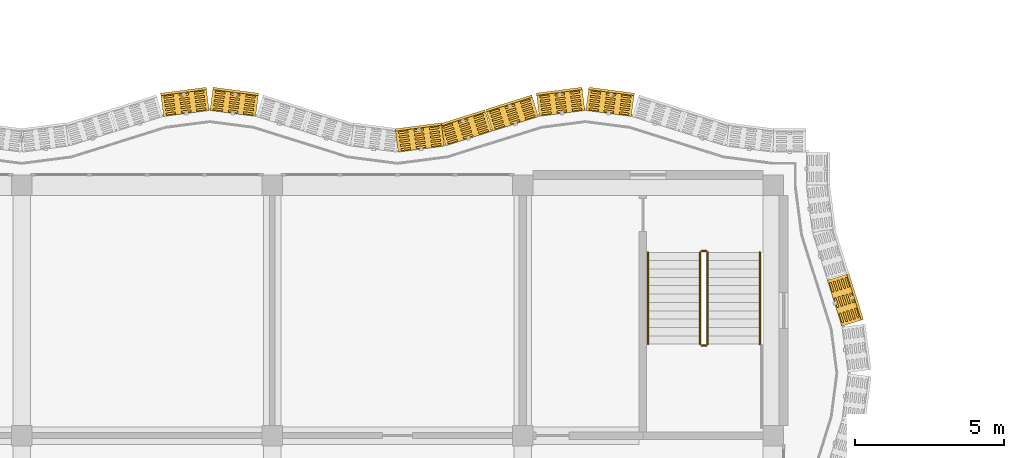
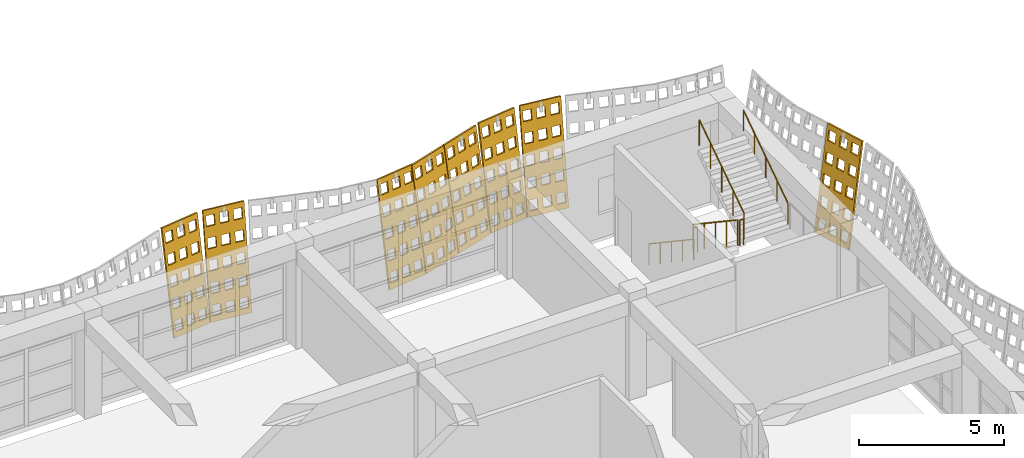
# One storey, part 162 of 163: 8 coverings, 6 railings.
"""IFC4 building model written with IfcOpenShell, lengths in metres."""

from ifc_helpers import new_model, si_unit, direction, frame, origin, origin_2d, place, context, subcontext, project, spatial, polyline, circle, outline, extrude, material, layer, layer_set, type_object, element, save


model = new_model("IFC4")

# Units and contexts
model_context = context("Model", 3, precision=1e-05, world=origin(), true_north=direction((0.0, 1.0)))
body_context = subcontext(model_context, "Body", "Model", "MODEL_VIEW")
ifc_project = project(units=[si_unit("LENGTHUNIT", "METRE"), si_unit("AREAUNIT", "SQUARE_METRE"), si_unit("VOLUMEUNIT", "CUBIC_METRE"), si_unit("PLANEANGLEUNIT", "RADIAN"), si_unit("MASSUNIT", "GRAM", prefix="KILO")], contexts=[model_context])

# Site, building, storey
site_placement = place(None, origin())
site = spatial("IfcSite", under=ifc_project, at=site_placement, CompositionType="ELEMENT")
building_placement = place(site_placement, origin())
building = spatial("IfcBuilding", under=site, at=building_placement, Name="Rain Tree Exposition and Congress Centre", CompositionType="ELEMENT")
storey_placement = place(building_placement, frame((0.0, 0.0, 10.5)))
storey = spatial("IfcBuildingStorey", under=building, at=storey_placement, Name="L02", CompositionType="ELEMENT", Elevation=10.5)

# Coverings
ifc_material_1 = material(Name="Perforated terracotta", Category="masonry")
ifc_layer = layer(ifc_material_1, 0.080078125)
ifc_layer_set = layer_set([ifc_layer], Name="Perforated terracotta")
covering_type = type_object("IfcCoveringType", Name="Terracotta screen 80", PredefinedType="CLADDING", material=ifc_layer_set)
covering_1_placement = place(storey_placement, frame((52.78271484375, 45.675048828125, 0.0), z_axis=(-0.942029390639, -0.295717964052, 0.158529217842), x_axis=(0.29950542383, -0.954094597562, 0.0)))
element("IfcCovering", 1, at=covering_1_placement, inside=storey, type_object=covering_type, Name="wing/screen/L02/064", PredefinedType="CLADDING", context=body_context, shape_type="SweptSolid", body=[
    extrude(outline(polyline([(-1.635986328125, 0.0), (-1.635986328125, 4.291259765625), (-0.02197265625, 4.291259765625), (-0.02197265625, 0.0), (-1.635986328125, 0.0)]), holes=[polyline([(-0.124267578125, 0.221435546875), (-0.124267578125, 0.63671875), (-0.457763671875, 0.63671875), (-0.457763671875, 0.221435546875), (-0.124267578125, 0.221435546875)]), polyline([(-0.124267578125, 1.07958984375), (-0.124267578125, 1.4951171875), (-0.457763671875, 1.4951171875), (-0.457763671875, 1.07958984375), (-0.124267578125, 1.07958984375)]), polyline([(-0.124267578125, 1.93798828125), (-0.124267578125, 2.353271484375), (-0.457763671875, 2.353271484375), (-0.457763671875, 1.93798828125), (-0.124267578125, 1.93798828125)]), polyline([(-0.124267578125, 2.796142578125), (-0.124267578125, 3.21142578125), (-0.457763671875, 3.21142578125), (-0.457763671875, 2.796142578125), (-0.124267578125, 2.796142578125)]), polyline([(-0.124267578125, 3.654541015625), (-0.124267578125, 4.06982421875), (-0.457763671875, 4.06982421875), (-0.457763671875, 3.654541015625), (-0.124267578125, 3.654541015625)]), polyline([(-0.662109375, 0.221435546875), (-0.662109375, 0.63671875), (-0.995849609375, 0.63671875), (-0.995849609375, 0.221435546875), (-0.662109375, 0.221435546875)]), polyline([(-0.662109375, 1.07958984375), (-0.662109375, 1.4951171875), (-0.995849609375, 1.4951171875), (-0.995849609375, 1.07958984375), (-0.662109375, 1.07958984375)]), polyline([(-0.662109375, 1.93798828125), (-0.662109375, 2.353271484375), (-0.995849609375, 2.353271484375), (-0.995849609375, 1.93798828125), (-0.662109375, 1.93798828125)]), polyline([(-0.662109375, 2.796142578125), (-0.662109375, 3.21142578125), (-0.995849609375, 3.21142578125), (-0.995849609375, 2.796142578125), (-0.662109375, 2.796142578125)]), polyline([(-0.662109375, 3.654541015625), (-0.662109375, 4.06982421875), (-0.995849609375, 4.06982421875), (-0.995849609375, 3.654541015625), (-0.662109375, 3.654541015625)]), polyline([(-1.2001953125, 0.221435546875), (-1.2001953125, 0.63671875), (-1.53369140625, 0.63671875), (-1.53369140625, 0.221435546875), (-1.2001953125, 0.221435546875)]), polyline([(-1.2001953125, 1.07958984375), (-1.2001953125, 1.4951171875), (-1.53369140625, 1.4951171875), (-1.53369140625, 1.07958984375), (-1.2001953125, 1.07958984375)]), polyline([(-1.2001953125, 1.93798828125), (-1.2001953125, 2.353271484375), (-1.53369140625, 2.353271484375), (-1.53369140625, 1.93798828125), (-1.2001953125, 1.93798828125)]), polyline([(-1.2001953125, 2.796142578125), (-1.2001953125, 3.21142578125), (-1.53369140625, 3.21142578125), (-1.53369140625, 2.796142578125), (-1.2001953125, 2.796142578125)]), polyline([(-1.2001953125, 3.654541015625), (-1.2001953125, 4.06982421875), (-1.53369140625, 4.06982421875), (-1.53369140625, 3.654541015625), (-1.2001953125, 3.654541015625)])]), origin(), (0.0, 0.0, 1.0), 0.080078125),
])
covering_2_placement = place(storey_placement, frame((45.675048828125, 52.78271484375, 0.0), z_axis=(-0.127967328105, -0.978036007662, 0.16452942185), x_axis=(0.991548658387, -0.129735338481, 0.0)))
element("IfcCovering", 2, at=covering_2_placement, inside=storey, type_object=covering_type, Name="wing/screen/L02/072", PredefinedType="CLADDING", context=body_context, shape_type="SweptSolid", body=[
    extrude(outline(polyline([(-1.56298828125, 0.0), (-1.56298828125, 4.295166015625), (-0.02197265625, 4.295166015625), (-0.02197265625, 0.0), (-1.56298828125, 0.0)]), holes=[polyline([(-0.11962890625, 0.2216796875), (-0.11962890625, 0.63720703125), (-0.43798828125, 0.63720703125), (-0.43798828125, 0.2216796875), (-0.11962890625, 0.2216796875)]), polyline([(-0.11962890625, 1.080810546875), (-0.11962890625, 1.496337890625), (-0.43798828125, 1.496337890625), (-0.43798828125, 1.080810546875), (-0.11962890625, 1.080810546875)]), polyline([(-0.11962890625, 1.939697265625), (-0.11962890625, 2.35546875), (-0.43798828125, 2.35546875), (-0.43798828125, 1.939697265625), (-0.11962890625, 1.939697265625)]), polyline([(-0.11962890625, 2.798583984375), (-0.11962890625, 3.21435546875), (-0.43798828125, 3.21435546875), (-0.43798828125, 2.798583984375), (-0.11962890625, 2.798583984375)]), polyline([(-0.11962890625, 3.65771484375), (-0.11962890625, 4.073486328125), (-0.43798828125, 4.073486328125), (-0.43798828125, 3.65771484375), (-0.11962890625, 3.65771484375)]), polyline([(-0.63330078125, 0.2216796875), (-0.63330078125, 0.63720703125), (-0.95166015625, 0.63720703125), (-0.95166015625, 0.2216796875), (-0.63330078125, 0.2216796875)]), polyline([(-0.63330078125, 1.080810546875), (-0.63330078125, 1.496337890625), (-0.95166015625, 1.496337890625), (-0.95166015625, 1.080810546875), (-0.63330078125, 1.080810546875)]), polyline([(-0.63330078125, 1.939697265625), (-0.63330078125, 2.35546875), (-0.95166015625, 2.35546875), (-0.95166015625, 1.939697265625), (-0.63330078125, 1.939697265625)]), polyline([(-0.63330078125, 2.798583984375), (-0.63330078125, 3.21435546875), (-0.95166015625, 3.21435546875), (-0.95166015625, 2.798583984375), (-0.63330078125, 2.798583984375)]), polyline([(-0.63330078125, 3.65771484375), (-0.63330078125, 4.073486328125), (-0.95166015625, 4.073486328125), (-0.95166015625, 3.65771484375), (-0.63330078125, 3.65771484375)]), polyline([(-1.146728515625, 0.2216796875), (-1.146728515625, 0.63720703125), (-1.46533203125, 0.63720703125), (-1.46533203125, 0.2216796875), (-1.146728515625, 0.2216796875)]), polyline([(-1.146728515625, 1.080810546875), (-1.146728515625, 1.496337890625), (-1.46533203125, 1.496337890625), (-1.46533203125, 1.080810546875), (-1.146728515625, 1.080810546875)]), polyline([(-1.146728515625, 1.939697265625), (-1.146728515625, 2.35546875), (-1.46533203125, 2.35546875), (-1.46533203125, 1.939697265625), (-1.146728515625, 1.939697265625)]), polyline([(-1.146728515625, 2.798583984375), (-1.146728515625, 3.21435546875), (-1.46533203125, 3.21435546875), (-1.46533203125, 2.798583984375), (-1.146728515625, 2.798583984375)]), polyline([(-1.146728515625, 3.65771484375), (-1.146728515625, 4.073486328125), (-1.46533203125, 4.073486328125), (-1.46533203125, 3.65771484375), (-1.146728515625, 3.65771484375)])]), origin(), (0.0, 0.0, 1.0), 0.080078125),
])
covering_3_placement = place(storey_placement, frame((44.10009765625, 52.987548828125, 0.0), z_axis=(0.124968640969, -0.978413018317, 0.164592844203), x_axis=(0.991941518713, 0.126696580272, 0.0)))
element("IfcCovering", 3, at=covering_3_placement, inside=storey, type_object=covering_type, Name="wing/screen/L02/073", PredefinedType="CLADDING", context=body_context, shape_type="SweptSolid", body=[
    extrude(outline(polyline([(-1.56640625, 0.0), (-1.56640625, 4.295166015625), (-0.025390625, 4.295166015625), (-0.025390625, 0.0), (-1.56640625, 0.0)]), holes=[polyline([(-0.123046875, 0.2216796875), (-0.123046875, 0.63720703125), (-0.44140625, 0.63720703125), (-0.44140625, 0.2216796875), (-0.123046875, 0.2216796875)]), polyline([(-0.123046875, 1.080810546875), (-0.123046875, 1.496337890625), (-0.44140625, 1.496337890625), (-0.44140625, 1.080810546875), (-0.123046875, 1.080810546875)]), polyline([(-0.123046875, 1.939697265625), (-0.123046875, 2.35546875), (-0.44140625, 2.35546875), (-0.44140625, 1.939697265625), (-0.123046875, 1.939697265625)]), polyline([(-0.123046875, 2.798583984375), (-0.123046875, 3.21435546875), (-0.44140625, 3.21435546875), (-0.44140625, 2.798583984375), (-0.123046875, 2.798583984375)]), polyline([(-0.123046875, 3.65771484375), (-0.123046875, 4.073486328125), (-0.44140625, 4.073486328125), (-0.44140625, 3.65771484375), (-0.123046875, 3.65771484375)]), polyline([(-0.63671875, 0.2216796875), (-0.63671875, 0.63720703125), (-0.955078125, 0.63720703125), (-0.955078125, 0.2216796875), (-0.63671875, 0.2216796875)]), polyline([(-0.63671875, 1.080810546875), (-0.63671875, 1.496337890625), (-0.955078125, 1.496337890625), (-0.955078125, 1.080810546875), (-0.63671875, 1.080810546875)]), polyline([(-0.63671875, 1.939697265625), (-0.63671875, 2.35546875), (-0.955078125, 2.35546875), (-0.955078125, 1.939697265625), (-0.63671875, 1.939697265625)]), polyline([(-0.63671875, 2.798583984375), (-0.63671875, 3.21435546875), (-0.955078125, 3.21435546875), (-0.955078125, 2.798583984375), (-0.63671875, 2.798583984375)]), polyline([(-0.63671875, 3.65771484375), (-0.63671875, 4.073486328125), (-0.955078125, 4.073486328125), (-0.955078125, 3.65771484375), (-0.63671875, 3.65771484375)]), polyline([(-1.150146484375, 0.2216796875), (-1.150146484375, 0.63720703125), (-1.46875, 0.63720703125), (-1.46875, 0.2216796875), (-1.150146484375, 0.2216796875)]), polyline([(-1.150146484375, 1.080810546875), (-1.150146484375, 1.496337890625), (-1.46875, 1.496337890625), (-1.46875, 1.080810546875), (-1.150146484375, 1.080810546875)]), polyline([(-1.150146484375, 1.939697265625), (-1.150146484375, 2.35546875), (-1.46875, 2.35546875), (-1.46875, 1.939697265625), (-1.150146484375, 1.939697265625)]), polyline([(-1.150146484375, 2.798583984375), (-1.150146484375, 3.21435546875), (-1.46875, 3.21435546875), (-1.46875, 2.798583984375), (-1.150146484375, 2.798583984375)]), polyline([(-1.150146484375, 3.65771484375), (-1.150146484375, 4.073486328125), (-1.46875, 4.073486328125), (-1.46875, 3.65771484375), (-1.150146484375, 3.65771484375)])]), origin(), (0.0, 0.0, 1.0), 0.080078125),
])
covering_4_placement = place(storey_placement, frame((42.52490234375, 52.78271484375, 0.0), z_axis=(0.295717964052, -0.942029390639, 0.158529217842), x_axis=(0.954094597562, 0.29950542383, 0.0)))
element("IfcCovering", 4, at=covering_4_placement, inside=storey, type_object=covering_type, Name="wing/screen/L02/074", PredefinedType="CLADDING", context=body_context, shape_type="SweptSolid", body=[
    extrude(outline(polyline([(-1.635986328125, 0.0), (-1.635986328125, 4.291259765625), (-0.02197265625, 4.291259765625), (-0.02197265625, 0.0), (-1.635986328125, 0.0)]), holes=[polyline([(-0.124267578125, 0.221435546875), (-0.124267578125, 0.63671875), (-0.457763671875, 0.63671875), (-0.457763671875, 0.221435546875), (-0.124267578125, 0.221435546875)]), polyline([(-0.124267578125, 1.07958984375), (-0.124267578125, 1.4951171875), (-0.457763671875, 1.4951171875), (-0.457763671875, 1.07958984375), (-0.124267578125, 1.07958984375)]), polyline([(-0.124267578125, 1.93798828125), (-0.124267578125, 2.353271484375), (-0.457763671875, 2.353271484375), (-0.457763671875, 1.93798828125), (-0.124267578125, 1.93798828125)]), polyline([(-0.124267578125, 2.796142578125), (-0.124267578125, 3.21142578125), (-0.457763671875, 3.21142578125), (-0.457763671875, 2.796142578125), (-0.124267578125, 2.796142578125)]), polyline([(-0.124267578125, 3.654541015625), (-0.124267578125, 4.06982421875), (-0.457763671875, 4.06982421875), (-0.457763671875, 3.654541015625), (-0.124267578125, 3.654541015625)]), polyline([(-0.662109375, 0.221435546875), (-0.662109375, 0.63671875), (-0.995849609375, 0.63671875), (-0.995849609375, 0.221435546875), (-0.662109375, 0.221435546875)]), polyline([(-0.662109375, 1.07958984375), (-0.662109375, 1.4951171875), (-0.995849609375, 1.4951171875), (-0.995849609375, 1.07958984375), (-0.662109375, 1.07958984375)]), polyline([(-0.662109375, 1.93798828125), (-0.662109375, 2.353271484375), (-0.995849609375, 2.353271484375), (-0.995849609375, 1.93798828125), (-0.662109375, 1.93798828125)]), polyline([(-0.662109375, 2.796142578125), (-0.662109375, 3.21142578125), (-0.995849609375, 3.21142578125), (-0.995849609375, 2.796142578125), (-0.662109375, 2.796142578125)]), polyline([(-0.662109375, 3.654541015625), (-0.662109375, 4.06982421875), (-0.995849609375, 4.06982421875), (-0.995849609375, 3.654541015625), (-0.662109375, 3.654541015625)]), polyline([(-1.2001953125, 0.221435546875), (-1.2001953125, 0.63671875), (-1.53369140625, 0.63671875), (-1.53369140625, 0.221435546875), (-1.2001953125, 0.221435546875)]), polyline([(-1.2001953125, 1.07958984375), (-1.2001953125, 1.4951171875), (-1.53369140625, 1.4951171875), (-1.53369140625, 1.07958984375), (-1.2001953125, 1.07958984375)]), polyline([(-1.2001953125, 1.93798828125), (-1.2001953125, 2.353271484375), (-1.53369140625, 2.353271484375), (-1.53369140625, 1.93798828125), (-1.2001953125, 1.93798828125)]), polyline([(-1.2001953125, 2.796142578125), (-1.2001953125, 3.21142578125), (-1.53369140625, 3.21142578125), (-1.53369140625, 2.796142578125), (-1.2001953125, 2.796142578125)]), polyline([(-1.2001953125, 3.654541015625), (-1.2001953125, 4.06982421875), (-1.53369140625, 4.06982421875), (-1.53369140625, 3.654541015625), (-1.2001953125, 3.654541015625)])]), origin(), (0.0, 0.0, 1.0), 0.080078125),
])
covering_5_placement = place(storey_placement, frame((40.949951171875, 52.28759765625, 0.0), z_axis=(0.295717964052, -0.942029390639, 0.158529217842), x_axis=(0.954094597562, 0.29950542383, 0.0)))
element("IfcCovering", 5, at=covering_5_placement, inside=storey, type_object=covering_type, Name="wing/screen/L02/075", PredefinedType="CLADDING", context=body_context, shape_type="SweptSolid", body=[
    extrude(outline(polyline([(-1.635986328125, 0.0), (-1.635986328125, 4.291259765625), (-0.014892578125, 4.291259765625), (-0.014892578125, 0.0), (-1.635986328125, 0.0)]), holes=[polyline([(-0.11767578125, 0.221435546875), (-0.11767578125, 0.63671875), (-0.45263671875, 0.63671875), (-0.45263671875, 0.221435546875), (-0.11767578125, 0.221435546875)]), polyline([(-0.11767578125, 1.07958984375), (-0.11767578125, 1.4951171875), (-0.45263671875, 1.4951171875), (-0.45263671875, 1.07958984375), (-0.11767578125, 1.07958984375)]), polyline([(-0.11767578125, 1.93798828125), (-0.11767578125, 2.353271484375), (-0.45263671875, 2.353271484375), (-0.45263671875, 1.93798828125), (-0.11767578125, 1.93798828125)]), polyline([(-0.11767578125, 2.796142578125), (-0.11767578125, 3.21142578125), (-0.45263671875, 3.21142578125), (-0.45263671875, 2.796142578125), (-0.11767578125, 2.796142578125)]), polyline([(-0.11767578125, 3.654541015625), (-0.11767578125, 4.06982421875), (-0.45263671875, 4.06982421875), (-0.45263671875, 3.654541015625), (-0.11767578125, 3.654541015625)]), polyline([(-0.657958984375, 0.221435546875), (-0.657958984375, 0.63671875), (-0.992919921875, 0.63671875), (-0.992919921875, 0.221435546875), (-0.657958984375, 0.221435546875)]), polyline([(-0.657958984375, 1.07958984375), (-0.657958984375, 1.4951171875), (-0.992919921875, 1.4951171875), (-0.992919921875, 1.07958984375), (-0.657958984375, 1.07958984375)]), polyline([(-0.657958984375, 1.93798828125), (-0.657958984375, 2.353271484375), (-0.992919921875, 2.353271484375), (-0.992919921875, 1.93798828125), (-0.657958984375, 1.93798828125)]), polyline([(-0.657958984375, 2.796142578125), (-0.657958984375, 3.21142578125), (-0.992919921875, 3.21142578125), (-0.992919921875, 2.796142578125), (-0.657958984375, 2.796142578125)]), polyline([(-0.657958984375, 3.654541015625), (-0.657958984375, 4.06982421875), (-0.992919921875, 4.06982421875), (-0.992919921875, 3.654541015625), (-0.657958984375, 3.654541015625)]), polyline([(-1.1982421875, 0.221435546875), (-1.1982421875, 0.63671875), (-1.533203125, 0.63671875), (-1.533203125, 0.221435546875), (-1.1982421875, 0.221435546875)]), polyline([(-1.1982421875, 1.07958984375), (-1.1982421875, 1.4951171875), (-1.533203125, 1.4951171875), (-1.533203125, 1.07958984375), (-1.1982421875, 1.07958984375)]), polyline([(-1.1982421875, 1.93798828125), (-1.1982421875, 2.353271484375), (-1.533203125, 2.353271484375), (-1.533203125, 1.93798828125), (-1.1982421875, 1.93798828125)]), polyline([(-1.1982421875, 2.796142578125), (-1.1982421875, 3.21142578125), (-1.533203125, 3.21142578125), (-1.533203125, 2.796142578125), (-1.1982421875, 2.796142578125)]), polyline([(-1.1982421875, 3.654541015625), (-1.1982421875, 4.06982421875), (-1.533203125, 4.06982421875), (-1.533203125, 3.654541015625), (-1.1982421875, 3.654541015625)])]), origin(), (0.0, 0.0, 1.0), 0.080078125),
])
covering_6_placement = place(storey_placement, frame((39.375, 51.79248046875, 0.0), z_axis=(0.128349774249, -0.9779030419, 0.165021138321), x_axis=(0.991496427865, 0.130133906157, 0.0)))
element("IfcCovering", 6, at=covering_6_placement, inside=storey, type_object=covering_type, Name="wing/screen/L02/076", PredefinedType="CLADDING", context=body_context, shape_type="SweptSolid", body=[
    extrude(outline(polyline([(-1.5732421875, 0.0), (-1.5732421875, 4.295166015625), (-0.014892578125, 4.295166015625), (-0.014892578125, 0.0), (-1.5732421875, 0.0)]), holes=[polyline([(-0.11376953125, 0.2216796875), (-0.11376953125, 0.63720703125), (-0.435791015625, 0.63720703125), (-0.435791015625, 0.2216796875), (-0.11376953125, 0.2216796875)]), polyline([(-0.11376953125, 1.080810546875), (-0.11376953125, 1.496337890625), (-0.435791015625, 1.496337890625), (-0.435791015625, 1.080810546875), (-0.11376953125, 1.080810546875)]), polyline([(-0.11376953125, 1.939697265625), (-0.11376953125, 2.35546875), (-0.435791015625, 2.35546875), (-0.435791015625, 1.939697265625), (-0.11376953125, 1.939697265625)]), polyline([(-0.11376953125, 2.798583984375), (-0.11376953125, 3.21435546875), (-0.435791015625, 3.21435546875), (-0.435791015625, 2.798583984375), (-0.11376953125, 2.798583984375)]), polyline([(-0.11376953125, 3.65771484375), (-0.11376953125, 4.073486328125), (-0.435791015625, 4.073486328125), (-0.435791015625, 3.65771484375), (-0.11376953125, 3.65771484375)]), polyline([(-0.633056640625, 0.2216796875), (-0.633056640625, 0.63720703125), (-0.955078125, 0.63720703125), (-0.955078125, 0.2216796875), (-0.633056640625, 0.2216796875)]), polyline([(-0.633056640625, 1.080810546875), (-0.633056640625, 1.496337890625), (-0.955078125, 1.496337890625), (-0.955078125, 1.080810546875), (-0.633056640625, 1.080810546875)]), polyline([(-0.633056640625, 1.939697265625), (-0.633056640625, 2.35546875), (-0.955078125, 2.35546875), (-0.955078125, 1.939697265625), (-0.633056640625, 1.939697265625)]), polyline([(-0.633056640625, 2.798583984375), (-0.633056640625, 3.21435546875), (-0.955078125, 3.21435546875), (-0.955078125, 2.798583984375), (-0.633056640625, 2.798583984375)]), polyline([(-0.633056640625, 3.65771484375), (-0.633056640625, 4.073486328125), (-0.955078125, 4.073486328125), (-0.955078125, 3.65771484375), (-0.633056640625, 3.65771484375)]), polyline([(-1.152587890625, 0.2216796875), (-1.152587890625, 0.63720703125), (-1.474609375, 0.63720703125), (-1.474609375, 0.2216796875), (-1.152587890625, 0.2216796875)]), polyline([(-1.152587890625, 1.080810546875), (-1.152587890625, 1.496337890625), (-1.474609375, 1.496337890625), (-1.474609375, 1.080810546875), (-1.152587890625, 1.080810546875)]), polyline([(-1.152587890625, 1.939697265625), (-1.152587890625, 2.35546875), (-1.474609375, 2.35546875), (-1.474609375, 1.939697265625), (-1.152587890625, 1.939697265625)]), polyline([(-1.152587890625, 2.798583984375), (-1.152587890625, 3.21435546875), (-1.474609375, 3.21435546875), (-1.474609375, 2.798583984375), (-1.152587890625, 2.798583984375)]), polyline([(-1.152587890625, 3.65771484375), (-1.152587890625, 4.073486328125), (-1.474609375, 4.073486328125), (-1.474609375, 3.65771484375), (-1.152587890625, 3.65771484375)])]), origin(), (0.0, 0.0, 1.0), 0.079833984375),
])
covering_7_placement = place(storey_placement, frame((33.074951171875, 52.78271484375, 0.0), z_axis=(-0.127967328105, -0.978036007662, 0.16452942185), x_axis=(0.991548658387, -0.129735338481, 0.0)))
element("IfcCovering", 7, at=covering_7_placement, inside=storey, type_object=covering_type, Name="wing/screen/L02/080", PredefinedType="CLADDING", context=body_context, shape_type="SweptSolid", body=[
    extrude(outline(polyline([(-1.56298828125, 0.0), (-1.56298828125, 4.295166015625), (-0.02197265625, 4.295166015625), (-0.02197265625, 0.0), (-1.56298828125, 0.0)]), holes=[polyline([(-0.11962890625, 0.2216796875), (-0.11962890625, 0.63720703125), (-0.43798828125, 0.63720703125), (-0.43798828125, 0.2216796875), (-0.11962890625, 0.2216796875)]), polyline([(-0.11962890625, 1.080810546875), (-0.11962890625, 1.496337890625), (-0.43798828125, 1.496337890625), (-0.43798828125, 1.080810546875), (-0.11962890625, 1.080810546875)]), polyline([(-0.11962890625, 1.939697265625), (-0.11962890625, 2.35546875), (-0.43798828125, 2.35546875), (-0.43798828125, 1.939697265625), (-0.11962890625, 1.939697265625)]), polyline([(-0.11962890625, 2.798583984375), (-0.11962890625, 3.21435546875), (-0.43798828125, 3.21435546875), (-0.43798828125, 2.798583984375), (-0.11962890625, 2.798583984375)]), polyline([(-0.11962890625, 3.65771484375), (-0.11962890625, 4.073486328125), (-0.43798828125, 4.073486328125), (-0.43798828125, 3.65771484375), (-0.11962890625, 3.65771484375)]), polyline([(-0.63330078125, 0.2216796875), (-0.63330078125, 0.63720703125), (-0.95166015625, 0.63720703125), (-0.95166015625, 0.2216796875), (-0.63330078125, 0.2216796875)]), polyline([(-0.63330078125, 1.080810546875), (-0.63330078125, 1.496337890625), (-0.95166015625, 1.496337890625), (-0.95166015625, 1.080810546875), (-0.63330078125, 1.080810546875)]), polyline([(-0.63330078125, 1.939697265625), (-0.63330078125, 2.35546875), (-0.95166015625, 2.35546875), (-0.95166015625, 1.939697265625), (-0.63330078125, 1.939697265625)]), polyline([(-0.63330078125, 2.798583984375), (-0.63330078125, 3.21435546875), (-0.95166015625, 3.21435546875), (-0.95166015625, 2.798583984375), (-0.63330078125, 2.798583984375)]), polyline([(-0.63330078125, 3.65771484375), (-0.63330078125, 4.073486328125), (-0.95166015625, 4.073486328125), (-0.95166015625, 3.65771484375), (-0.63330078125, 3.65771484375)]), polyline([(-1.146728515625, 0.2216796875), (-1.146728515625, 0.63720703125), (-1.46533203125, 0.63720703125), (-1.46533203125, 0.2216796875), (-1.146728515625, 0.2216796875)]), polyline([(-1.146728515625, 1.080810546875), (-1.146728515625, 1.496337890625), (-1.46533203125, 1.496337890625), (-1.46533203125, 1.080810546875), (-1.146728515625, 1.080810546875)]), polyline([(-1.146728515625, 1.939697265625), (-1.146728515625, 2.35546875), (-1.46533203125, 2.35546875), (-1.46533203125, 1.939697265625), (-1.146728515625, 1.939697265625)]), polyline([(-1.146728515625, 2.798583984375), (-1.146728515625, 3.21435546875), (-1.46533203125, 3.21435546875), (-1.46533203125, 2.798583984375), (-1.146728515625, 2.798583984375)]), polyline([(-1.146728515625, 3.65771484375), (-1.146728515625, 4.073486328125), (-1.46533203125, 4.073486328125), (-1.46533203125, 3.65771484375), (-1.146728515625, 3.65771484375)])]), origin(), (0.0, 0.0, 1.0), 0.080078125),
])
covering_8_placement = place(storey_placement, frame((31.5, 52.987548828125, 0.0), z_axis=(0.127967328105, -0.978036007662, 0.16452942185), x_axis=(0.991548658387, 0.129735338481, 0.0)))
element("IfcCovering", 8, at=covering_8_placement, inside=storey, type_object=covering_type, Name="wing/screen/L02/081", PredefinedType="CLADDING", context=body_context, shape_type="SweptSolid", body=[
    extrude(outline(polyline([(-1.56640625, 0.0), (-1.56640625, 4.295166015625), (-0.025390625, 4.295166015625), (-0.025390625, 0.0), (-1.56640625, 0.0)]), holes=[polyline([(-0.123046875, 0.2216796875), (-0.123046875, 0.63720703125), (-0.44140625, 0.63720703125), (-0.44140625, 0.2216796875), (-0.123046875, 0.2216796875)]), polyline([(-0.123046875, 1.080810546875), (-0.123046875, 1.496337890625), (-0.44140625, 1.496337890625), (-0.44140625, 1.080810546875), (-0.123046875, 1.080810546875)]), polyline([(-0.123046875, 1.939697265625), (-0.123046875, 2.35546875), (-0.44140625, 2.35546875), (-0.44140625, 1.939697265625), (-0.123046875, 1.939697265625)]), polyline([(-0.123046875, 2.798583984375), (-0.123046875, 3.21435546875), (-0.44140625, 3.21435546875), (-0.44140625, 2.798583984375), (-0.123046875, 2.798583984375)]), polyline([(-0.123046875, 3.65771484375), (-0.123046875, 4.073486328125), (-0.44140625, 4.073486328125), (-0.44140625, 3.65771484375), (-0.123046875, 3.65771484375)]), polyline([(-0.63671875, 0.2216796875), (-0.63671875, 0.63720703125), (-0.955078125, 0.63720703125), (-0.955078125, 0.2216796875), (-0.63671875, 0.2216796875)]), polyline([(-0.63671875, 1.080810546875), (-0.63671875, 1.496337890625), (-0.955078125, 1.496337890625), (-0.955078125, 1.080810546875), (-0.63671875, 1.080810546875)]), polyline([(-0.63671875, 1.939697265625), (-0.63671875, 2.35546875), (-0.955078125, 2.35546875), (-0.955078125, 1.939697265625), (-0.63671875, 1.939697265625)]), polyline([(-0.63671875, 2.798583984375), (-0.63671875, 3.21435546875), (-0.955078125, 3.21435546875), (-0.955078125, 2.798583984375), (-0.63671875, 2.798583984375)]), polyline([(-0.63671875, 3.65771484375), (-0.63671875, 4.073486328125), (-0.955078125, 4.073486328125), (-0.955078125, 3.65771484375), (-0.63671875, 3.65771484375)]), polyline([(-1.150146484375, 0.2216796875), (-1.150146484375, 0.63720703125), (-1.46875, 0.63720703125), (-1.46875, 0.2216796875), (-1.150146484375, 0.2216796875)]), polyline([(-1.150146484375, 1.080810546875), (-1.150146484375, 1.496337890625), (-1.46875, 1.496337890625), (-1.46875, 1.080810546875), (-1.150146484375, 1.080810546875)]), polyline([(-1.150146484375, 1.939697265625), (-1.150146484375, 2.35546875), (-1.46875, 2.35546875), (-1.46875, 1.939697265625), (-1.150146484375, 1.939697265625)]), polyline([(-1.150146484375, 2.798583984375), (-1.150146484375, 3.21435546875), (-1.46875, 3.21435546875), (-1.46875, 2.798583984375), (-1.150146484375, 2.798583984375)]), polyline([(-1.150146484375, 3.65771484375), (-1.150146484375, 4.073486328125), (-1.46875, 4.073486328125), (-1.46875, 3.65771484375), (-1.150146484375, 3.65771484375)])]), origin(), (0.0, 0.0, 1.0), 0.080078125),
])

# Railings
ifc_material_2 = material(Name="Steel S355J2H", Category="steel")
railing_type_1 = type_object("IfcRailingType", Name="Wing stair guard 1100", PredefinedType="GUARDRAIL", material=ifc_material_2)
railing_1_placement = place(storey_placement, frame((47.949951171875, 48.14990234375, 0.1875)))
element("IfcRailing", 9, at=railing_1_placement, inside=storey, type_object=railing_type_1, Name="L02 ST-W4 stair guard 1", PredefinedType="GUARDRAIL", context=body_context, shape_type="SweptSolid", body=[
    extrude(circle(Radius=0.02392578125, at=origin_2d()), frame((0.0, 0.0, 1.076171875), z_axis=(0.0, -0.830893310487, 0.556431762742), x_axis=(1.0, 0.0, 0.0)), (0.0, 0.0, 1.0), 3.70654296875),
    extrude(circle(Radius=0.02099609375, at=origin_2d()), origin(), (0.0, 0.0, 1.0), 1.052001953125),
    extrude(circle(Radius=0.02099609375, at=origin_2d()), frame((0.0, -0.77001953125, 0.515625)), (0.0, 0.0, 1.0), 1.052001953125),
    extrude(circle(Radius=0.02099609375, at=origin_2d()), frame((0.0, -1.5400390625, 1.03125)), (0.0, 0.0, 1.0), 1.052001953125),
    extrude(circle(Radius=0.02099609375, at=origin_2d()), frame((0.0, -2.309814453125, 1.546875)), (0.0, 0.0, 1.0), 1.052001953125),
    extrude(circle(Radius=0.02099609375, at=origin_2d()), frame((0.0, -3.079833984375, 2.0625)), (0.0, 0.0, 1.0), 1.052001953125),
])
railing_2_placement = place(storey_placement, frame((48.0, 45.02001953125, 2.25)))
element("IfcRailing", 10, at=railing_2_placement, inside=storey, type_object=railing_type_1, Name="L02 ST-W4 stair guard 2", PredefinedType="GUARDRAIL", context=body_context, shape_type="SweptSolid", body=[
    extrude(circle(Radius=0.02392578125, at=origin_2d()), frame((0.0, 0.0, 1.076171875), z_axis=(1.0, 0.0, 0.0), x_axis=(0.0, 1.0, 0.0)), (0.0, 0.0, 1.0), 0.14990234375),
    extrude(circle(Radius=0.02099609375, at=origin_2d()), origin(), (0.0, 0.0, 1.0), 1.052001953125),
    extrude(circle(Radius=0.02099609375, at=origin_2d()), frame((0.14990234375, 0.0, 0.0)), (0.0, 0.0, 1.0), 1.052001953125),
])
railing_3_placement = place(storey_placement, frame((48.199951171875, 45.070068359375, 2.4375)))
element("IfcRailing", 11, at=railing_3_placement, inside=storey, type_object=railing_type_1, Name="L02 ST-W4 stair guard 3", PredefinedType="GUARDRAIL", context=body_context, shape_type="SweptSolid", body=[
    extrude(circle(Radius=0.02392578125, at=origin_2d()), frame((0.0, 0.0, 1.076171875), z_axis=(0.0, 0.830893310487, 0.556431762742), x_axis=(-1.0, 0.0, 0.0)), (0.0, 0.0, 1.0), 3.70654296875),
    extrude(circle(Radius=0.02099609375, at=origin_2d()), origin(), (0.0, 0.0, 1.0), 1.052001953125),
    extrude(circle(Radius=0.02099609375, at=origin_2d()), frame((0.0, 0.77001953125, 0.515625)), (0.0, 0.0, 1.0), 1.052001953125),
    extrude(circle(Radius=0.02099609375, at=origin_2d()), frame((0.0, 1.5400390625, 1.03125)), (0.0, 0.0, 1.0), 1.052001953125),
    extrude(circle(Radius=0.02099609375, at=origin_2d()), frame((0.0, 2.309814453125, 1.546875)), (0.0, 0.0, 1.0), 1.052001953125),
    extrude(circle(Radius=0.02099609375, at=origin_2d()), frame((0.0, 3.079833984375, 2.0625)), (0.0, 0.0, 1.0), 1.052001953125),
])
railing_4_placement = place(storey_placement, frame((48.0, 48.199951171875, 0.0)))
element("IfcRailing", 12, at=railing_4_placement, inside=storey, type_object=railing_type_1, Name="L02 ST-W4 stair guard 4", PredefinedType="GUARDRAIL", context=body_context, shape_type="SweptSolid", body=[
    extrude(circle(Radius=0.02392578125, at=origin_2d()), frame((0.0, 0.0, 1.076171875), z_axis=(1.0, 0.0, 0.0), x_axis=(0.0, 1.0, 0.0)), (0.0, 0.0, 1.0), 0.14990234375),
    extrude(circle(Radius=0.02099609375, at=origin_2d()), origin(), (0.0, 0.0, 1.0), 1.052001953125),
    extrude(circle(Radius=0.02099609375, at=origin_2d()), frame((0.14990234375, 0.0, 0.0)), (0.0, 0.0, 1.0), 1.052001953125),
])
ifc_material_3 = material(Name="Steel S355J2H", Category="steel")
railing_type_2 = type_object("IfcRailingType", Name="Wing stair handrail 900", PredefinedType="HANDRAIL", material=ifc_material_3)
railing_5_placement = place(storey_placement, frame((46.199951171875, 48.14990234375, 0.1875)))
element("IfcRailing", 13, at=railing_5_placement, inside=storey, type_object=railing_type_2, Name="L02 ST-W4 stair handrail 1", PredefinedType="HANDRAIL", context=body_context, shape_type="SweptSolid", body=[
    extrude(circle(Radius=0.02392578125, at=origin_2d()), frame((0.0, 0.0, 0.8759765625), z_axis=(0.0, -0.830893310487, 0.556431762742), x_axis=(1.0, 0.0, 0.0)), (0.0, 0.0, 1.0), 3.70654296875),
    extrude(circle(Radius=0.02099609375, at=origin_2d()), origin(), (0.0, 0.0, 1.0), 0.851806640625),
    extrude(circle(Radius=0.02099609375, at=origin_2d()), frame((0.0, -0.77001953125, 0.515625)), (0.0, 0.0, 1.0), 0.851806640625),
    extrude(circle(Radius=0.02099609375, at=origin_2d()), frame((0.0, -1.5400390625, 1.03125)), (0.0, 0.0, 1.0), 0.851806640625),
    extrude(circle(Radius=0.02099609375, at=origin_2d()), frame((0.0, -2.309814453125, 1.546875)), (0.0, 0.0, 1.0), 0.851806640625),
    extrude(circle(Radius=0.02099609375, at=origin_2d()), frame((0.0, -3.079833984375, 2.0625)), (0.0, 0.0, 1.0), 0.851806640625),
])
railing_6_placement = place(storey_placement, frame((49.949951171875, 45.070068359375, 2.4375)))
element("IfcRailing", 14, at=railing_6_placement, inside=storey, type_object=railing_type_2, Name="L02 ST-W4 stair handrail 2", PredefinedType="HANDRAIL", context=body_context, shape_type="SweptSolid", body=[
    extrude(circle(Radius=0.02392578125, at=origin_2d()), frame((0.0, 0.0, 0.8759765625), z_axis=(0.0, 0.830893310487, 0.556431762742), x_axis=(-1.0, 0.0, 0.0)), (0.0, 0.0, 1.0), 3.70654296875),
    extrude(circle(Radius=0.02099609375, at=origin_2d()), origin(), (0.0, 0.0, 1.0), 0.851806640625),
    extrude(circle(Radius=0.02099609375, at=origin_2d()), frame((0.0, 0.77001953125, 0.515625)), (0.0, 0.0, 1.0), 0.851806640625),
    extrude(circle(Radius=0.02099609375, at=origin_2d()), frame((0.0, 1.5400390625, 1.03125)), (0.0, 0.0, 1.0), 0.851806640625),
    extrude(circle(Radius=0.02099609375, at=origin_2d()), frame((0.0, 2.309814453125, 1.546875)), (0.0, 0.0, 1.0), 0.851806640625),
    extrude(circle(Radius=0.02099609375, at=origin_2d()), frame((0.0, 3.079833984375, 2.0625)), (0.0, 0.0, 1.0), 0.851806640625),
])

save(model, "model.ifc")
